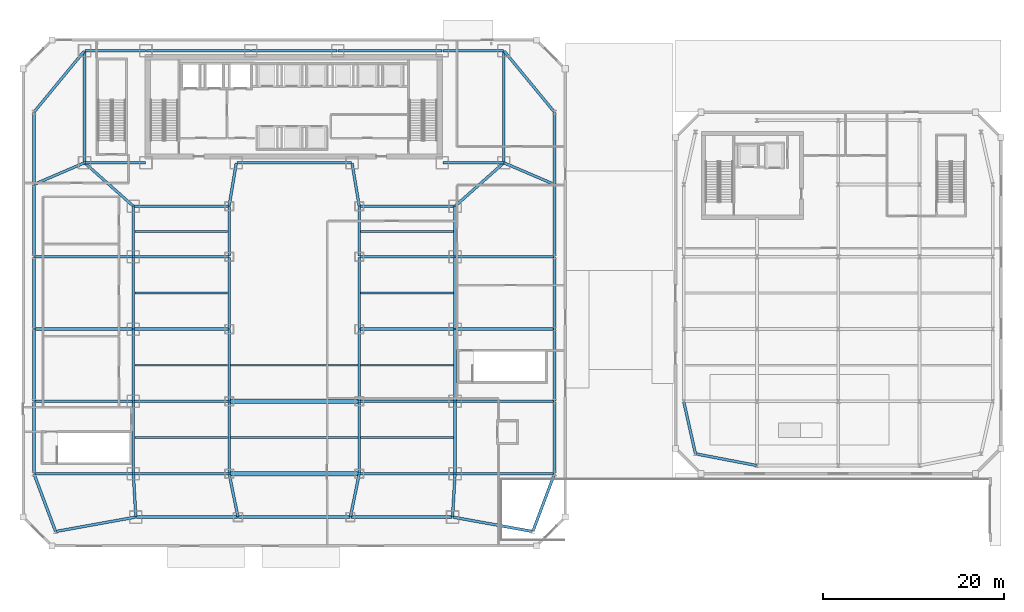
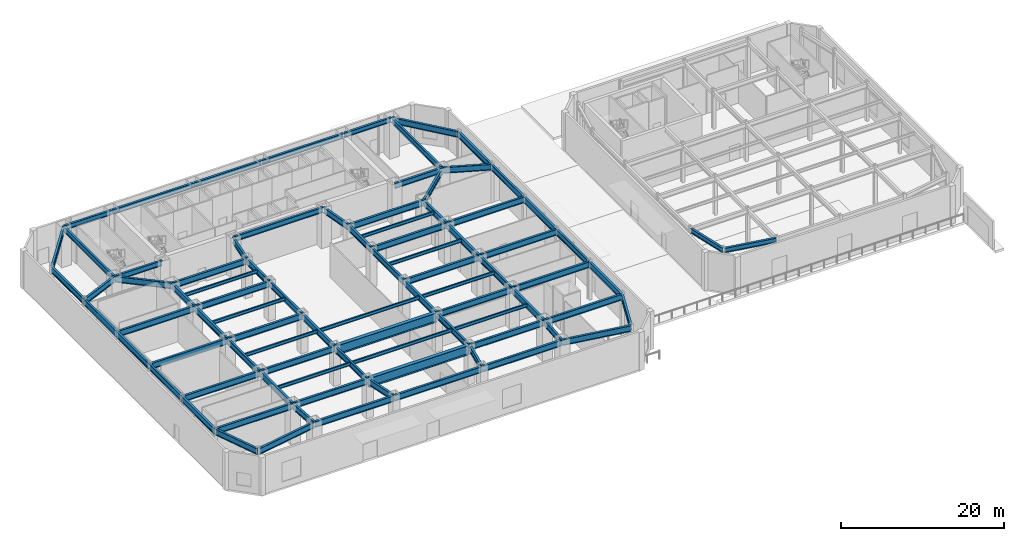
# One storey, part 8 of 23: 87 beams.
"""IFC4 building model written with IfcOpenShell, lengths in metres."""

from ifc_helpers import new_model, si_unit, direction, frame, origin, origin_2d, place, context, subcontext, project, spatial, i_section, extrude, material, material_profile, profile_set, type_object, element, save


model = new_model("IFC4")

# Units and contexts
model_context = context("Model", 3, precision=1e-05, world=origin(), true_north=direction((0.0, 1.0)))
body_context = subcontext(model_context, "Body", "Model", "MODEL_VIEW")
ifc_project = project(units=[si_unit("LENGTHUNIT", "METRE"), si_unit("AREAUNIT", "SQUARE_METRE"), si_unit("VOLUMEUNIT", "CUBIC_METRE"), si_unit("PLANEANGLEUNIT", "RADIAN"), si_unit("MASSUNIT", "GRAM", prefix="KILO")], contexts=[model_context])

# Site, building, storey
site_placement = place(None, origin())
site = spatial("IfcSite", under=ifc_project, at=site_placement, CompositionType="ELEMENT")
building_placement = place(site_placement, origin())
building = spatial("IfcBuilding", under=site, at=building_placement, Name="Saevonmaru Cultural Tower", CompositionType="ELEMENT")
storey_placement = place(building_placement, origin())
storey = spatial("IfcBuildingStorey", under=building, at=storey_placement, Name="L00", CompositionType="ELEMENT", Elevation=0.0)

# Beams
ifc_material_1 = material(Name="Steel SM355", Category="steel")
ifc_material_profile_1 = material_profile(ifc_material_1, i_section(OverallWidth=0.300048828125, OverallDepth=0.699951171875, WebThickness=0.012939453125, FlangeThickness=0.02392578125, FilletRadius=0.02587890625, at=origin_2d()), Name="H-700x300x13x24")
ifc_profile_set_1 = profile_set([ifc_material_profile_1], Name="Steel SM355")
beam_type_1 = type_object("IfcBeamType", Name="BM-G-H700", PredefinedType="BEAM", material=ifc_profile_set_1)
beam_1_placement = place(storey_placement, frame((74.458984375, 10.188720703125, 5.35009765625), z_axis=(0.982215224342, -0.187758496666, 0.0), x_axis=(0.187758496666, 0.982215224342, 0.0)))
element("IfcBeam", 1, at=beam_1_placement, inside=storey, type_object=beam_type_1, Name="L00 Library Girder EW-1-1", PredefinedType="BEAM", context=body_context, shape_type="SweptSolid", body=[
    extrude(i_section(OverallWidth=0.300048828125, OverallDepth=0.699951171875, WebThickness=0.012939453125, FlangeThickness=0.02392578125, FilletRadius=0.02587890625, at=origin_2d()), origin(), (0.0, 0.0, 1.0), 6.80322265625),
])
beam_2_placement = place(storey_placement, frame((74.386962890625, 10.258544921875, 5.35009765625), z_axis=(-0.218741049138, 0.975782943806, 0.0), x_axis=(-0.975782943806, -0.218741049138, 0.0)))
element("IfcBeam", 2, at=beam_2_placement, inside=storey, type_object=beam_type_1, Name="L00 Library Girder NS-1-1", PredefinedType="BEAM", context=body_context, shape_type="SweptSolid", body=[
    extrude(i_section(OverallWidth=0.300048828125, OverallDepth=0.699951171875, WebThickness=0.012939453125, FlangeThickness=0.02392578125, FilletRadius=0.02587890625, at=origin_2d()), origin(), (0.0, 0.0, 1.0), 5.823974609375),
])
ifc_material_2 = material(Name="Steel SM420", Category="steel")
ifc_material_profile_2 = material_profile(ifc_material_2, i_section(OverallWidth=0.300048828125, OverallDepth=0.800048828125, WebThickness=0.013916015625, FlangeThickness=0.02587890625, FilletRadius=0.028076171875, at=origin_2d()), Name="H-800x300x14x26")
ifc_profile_set_2 = profile_set([ifc_material_profile_2], Name="Steel SM420")
beam_type_2 = type_object("IfcBeamType", Name="BM-G-H800", PredefinedType="BEAM", material=ifc_profile_set_2)
beam_3_placement = place(storey_placement, frame((6.860107421875, 42.39990234375, 5.300048828125), z_axis=(1.0, 0.0, 0.0), x_axis=(0.0, 1.0, 0.0)))
element("IfcBeam", 3, at=beam_3_placement, inside=storey, type_object=beam_type_2, Name="L00 Core South Girder 1", PredefinedType="BEAM", context=body_context, shape_type="SweptSolid", body=[
    extrude(i_section(OverallWidth=0.300048828125, OverallDepth=0.800048828125, WebThickness=0.013916015625, FlangeThickness=0.02587890625, FilletRadius=0.028076171875, at=origin_2d()), origin(), (0.0, 0.0, 1.0), 6.679931640625),
])
beam_4_placement = place(storey_placement, frame((23.659912109375, 42.39990234375, 5.300048828125), z_axis=(1.0, 0.0, 0.0), x_axis=(0.0, 1.0, 0.0)))
element("IfcBeam", 4, at=beam_4_placement, inside=storey, type_object=beam_type_2, Name="L00 Core South Girder 3", PredefinedType="BEAM", context=body_context, shape_type="SweptSolid", body=[
    extrude(i_section(OverallWidth=0.300048828125, OverallDepth=0.800048828125, WebThickness=0.013916015625, FlangeThickness=0.02587890625, FilletRadius=0.028076171875, at=origin_2d()), origin(), (0.0, 0.0, 1.0), 12.68017578125),
])
beam_5_placement = place(storey_placement, frame((46.4599609375, 42.39990234375, 5.300048828125), z_axis=(1.0, 0.0, 0.0), x_axis=(0.0, 1.0, 0.0)))
element("IfcBeam", 5, at=beam_5_placement, inside=storey, type_object=beam_type_2, Name="L00 Core South Girder 5", PredefinedType="BEAM", context=body_context, shape_type="SweptSolid", body=[
    extrude(i_section(OverallWidth=0.300048828125, OverallDepth=0.800048828125, WebThickness=0.013916015625, FlangeThickness=0.02587890625, FilletRadius=0.028076171875, at=origin_2d()), origin(), (0.0, 0.0, 1.0), 6.679931640625),
])
for number, where, z_axis, x_axis, name in (
    (6, (6.800048828125, 54.739990234375, 5.300048828125), (0.0, -1.0, 0.0), (1.0, 0.0, 0.0), "L00 Spine Transverse Girder W"),
    (7, (53.199951171875, 54.739990234375, 5.300048828125), (0.0, -1.0, 0.0), (1.0, 0.0, 0.0), "L00 Spine Transverse Girder E"),
):
    element("IfcBeam", number, at=place(storey_placement, frame(where, z_axis=z_axis, x_axis=x_axis)), inside=storey, type_object=beam_type_2, Name=name, PredefinedType="BEAM", context=body_context, shape_type="SweptSolid", body=[
        extrude(i_section(OverallWidth=0.300048828125, OverallDepth=0.800048828125, WebThickness=0.013916015625, FlangeThickness=0.02587890625, FilletRadius=0.028076171875, at=origin_2d()), origin(), (0.0, 0.0, 1.0), 12.280029296875),
    ])
ifc_material_profile_3 = material_profile(ifc_material_2, i_section(OverallWidth=0.300048828125, OverallDepth=0.89990234375, WebThickness=0.01611328125, FlangeThickness=0.028076171875, FilletRadius=0.028076171875, at=origin_2d()), Name="H-900x300x16x28")
ifc_profile_set_3 = profile_set([ifc_material_profile_3], Name="Steel SM420")
beam_type_3 = type_object("IfcBeamType", Name="BM-G-H900", PredefinedType="BEAM", material=ifc_profile_set_3)
beam_6_placement = place(storey_placement, frame((12.4765625, 3.260009765625, 5.25), z_axis=(-0.058221363278, 0.998303697708, 0.0), x_axis=(-0.998303697708, -0.058221363278, 0.0)))
element("IfcBeam", 8, at=beam_6_placement, inside=storey, type_object=beam_type_3, Name="L00 Podium Girder NS1-1", PredefinedType="BEAM", context=body_context, shape_type="SweptSolid", body=[
    extrude(i_section(OverallWidth=0.300048828125, OverallDepth=0.89990234375, WebThickness=0.01611328125, FlangeThickness=0.028076171875, FilletRadius=0.028076171875, at=origin_2d()), origin(), (0.0, 0.0, 1.0), 4.688232421875),
])
for number, where, z_axis, x_axis, name in (
    (9, (12.199951171875, 8.06005859375, 5.25), (0.0, 1.0, 0.0), (-1.0, 0.0, 0.0), "L00 Podium Girder NS1-2"),
    (10, (12.199951171875, 16.06005859375, 5.25), (0.0, 1.0, 0.0), (-1.0, 0.0, 0.0), "L00 Podium Girder NS1-3"),
    (11, (12.199951171875, 24.06005859375, 5.25), (0.0, 1.0, 0.0), (-1.0, 0.0, 0.0), "L00 Podium Girder NS1-4"),
):
    element("IfcBeam", number, at=place(storey_placement, frame(where, z_axis=z_axis, x_axis=x_axis)), inside=storey, type_object=beam_type_3, Name=name, PredefinedType="BEAM", context=body_context, shape_type="SweptSolid", body=[
        extrude(i_section(OverallWidth=0.300048828125, OverallDepth=0.89990234375, WebThickness=0.01611328125, FlangeThickness=0.028076171875, FilletRadius=0.028076171875, at=origin_2d()), origin(), (0.0, 0.0, 1.0), 7.8798828125),
    ])
beam_7_placement = place(storey_placement, frame((12.199951171875, 32.06005859375, 5.25), z_axis=(0.0, 1.0, 0.0), x_axis=(-1.0, 0.0, 0.0)))
element("IfcBeam", 12, at=beam_7_placement, inside=storey, type_object=beam_type_3, Name="L00 Podium Girder NS1-5", PredefinedType="BEAM", context=body_context, shape_type="SweptSolid", body=[
    extrude(i_section(OverallWidth=0.300048828125, OverallDepth=0.89990234375, WebThickness=0.01611328125, FlangeThickness=0.028076171875, FilletRadius=0.028076171875, at=origin_2d()), origin(), (0.0, 0.0, 1.0), 5.47998046875),
])
beam_8_placement = place(storey_placement, frame((12.1552734375, 37.639892578125, 5.25), z_axis=(-0.74742827637, 0.664342510819, 0.0), x_axis=(-0.664342510819, -0.74742827637, 0.0)))
element("IfcBeam", 13, at=beam_8_placement, inside=storey, type_object=beam_type_3, Name="L00 Podium Girder NS1-6", PredefinedType="BEAM", context=body_context, shape_type="SweptSolid", body=[
    extrude(i_section(OverallWidth=0.300048828125, OverallDepth=0.89990234375, WebThickness=0.01611328125, FlangeThickness=0.028076171875, FilletRadius=0.028076171875, at=origin_2d()), origin(), (0.0, 0.0, 1.0), 7.10498046875),
])
beam_9_placement = place(storey_placement, frame((23.76806640625, 3.2587890625, 5.25), z_axis=(-0.200054094908, 0.979784853481, 0.0), x_axis=(-0.979784853481, -0.200054094908, 0.0)))
element("IfcBeam", 14, at=beam_9_placement, inside=storey, type_object=beam_type_3, Name="L00 Podium Girder NS2-1", PredefinedType="BEAM", context=body_context, shape_type="SweptSolid", body=[
    extrude(i_section(OverallWidth=0.300048828125, OverallDepth=0.89990234375, WebThickness=0.01611328125, FlangeThickness=0.028076171875, FilletRadius=0.028076171875, at=origin_2d()), origin(), (0.0, 0.0, 1.0), 4.779052734375),
])
for number, where, z_axis, x_axis, name in (
    (15, (22.800048828125, 8.06005859375, 5.25), (0.0, 1.0, 0.0), (-1.0, 0.0, 0.0), "L00 Podium Girder NS2-2"),
    (16, (22.800048828125, 16.06005859375, 5.25), (0.0, 1.0, 0.0), (-1.0, 0.0, 0.0), "L00 Podium Girder NS2-3"),
    (17, (22.800048828125, 24.06005859375, 5.25), (0.0, 1.0, 0.0), (-1.0, 0.0, 0.0), "L00 Podium Girder NS2-4"),
):
    element("IfcBeam", number, at=place(storey_placement, frame(where, z_axis=z_axis, x_axis=x_axis)), inside=storey, type_object=beam_type_3, Name=name, PredefinedType="BEAM", context=body_context, shape_type="SweptSolid", body=[
        extrude(i_section(OverallWidth=0.300048828125, OverallDepth=0.89990234375, WebThickness=0.01611328125, FlangeThickness=0.028076171875, FilletRadius=0.028076171875, at=origin_2d()), origin(), (0.0, 0.0, 1.0), 7.8798828125),
    ])
beam_10_placement = place(storey_placement, frame((22.800048828125, 32.06005859375, 5.25), z_axis=(0.0, 1.0, 0.0), x_axis=(-1.0, 0.0, 0.0)))
element("IfcBeam", 18, at=beam_10_placement, inside=storey, type_object=beam_type_3, Name="L00 Podium Girder NS2-5", PredefinedType="BEAM", context=body_context, shape_type="SweptSolid", body=[
    extrude(i_section(OverallWidth=0.300048828125, OverallDepth=0.89990234375, WebThickness=0.01611328125, FlangeThickness=0.028076171875, FilletRadius=0.028076171875, at=origin_2d()), origin(), (0.0, 0.0, 1.0), 5.47998046875),
])
beam_11_placement = place(storey_placement, frame((22.809814453125, 37.6591796875, 5.25), z_axis=(0.164398987305, 0.986393923832, 0.0), x_axis=(-0.986393923832, 0.164398987305, 0.0)))
element("IfcBeam", 19, at=beam_11_placement, inside=storey, type_object=beam_type_3, Name="L00 Podium Girder NS2-6", PredefinedType="BEAM", context=body_context, shape_type="SweptSolid", body=[
    extrude(i_section(OverallWidth=0.300048828125, OverallDepth=0.89990234375, WebThickness=0.01611328125, FlangeThickness=0.028076171875, FilletRadius=0.028076171875, at=origin_2d()), origin(), (0.0, 0.0, 1.0), 4.746337890625),
])
beam_12_placement = place(storey_placement, frame((36.23193359375, 3.2587890625, 5.25), z_axis=(0.200054094908, 0.979784853481, 0.0), x_axis=(-0.979784853481, 0.200054094908, 0.0)))
element("IfcBeam", 20, at=beam_12_placement, inside=storey, type_object=beam_type_3, Name="L00 Podium Girder NS3-1", PredefinedType="BEAM", context=body_context, shape_type="SweptSolid", body=[
    extrude(i_section(OverallWidth=0.300048828125, OverallDepth=0.89990234375, WebThickness=0.01611328125, FlangeThickness=0.028076171875, FilletRadius=0.028076171875, at=origin_2d()), origin(), (0.0, 0.0, 1.0), 4.779052734375),
])
for number, where, z_axis, x_axis, name in (
    (21, (37.199951171875, 8.06005859375, 5.25), (0.0, 1.0, 0.0), (-1.0, 0.0, 0.0), "L00 Podium Girder NS3-2"),
    (22, (37.199951171875, 16.06005859375, 5.25), (0.0, 1.0, 0.0), (-1.0, 0.0, 0.0), "L00 Podium Girder NS3-3"),
    (23, (37.199951171875, 24.06005859375, 5.25), (0.0, 1.0, 0.0), (-1.0, 0.0, 0.0), "L00 Podium Girder NS3-4"),
):
    element("IfcBeam", number, at=place(storey_placement, frame(where, z_axis=z_axis, x_axis=x_axis)), inside=storey, type_object=beam_type_3, Name=name, PredefinedType="BEAM", context=body_context, shape_type="SweptSolid", body=[
        extrude(i_section(OverallWidth=0.300048828125, OverallDepth=0.89990234375, WebThickness=0.01611328125, FlangeThickness=0.028076171875, FilletRadius=0.028076171875, at=origin_2d()), origin(), (0.0, 0.0, 1.0), 7.8798828125),
    ])
beam_13_placement = place(storey_placement, frame((37.199951171875, 32.06005859375, 5.25), z_axis=(0.0, 1.0, 0.0), x_axis=(-1.0, 0.0, 0.0)))
element("IfcBeam", 24, at=beam_13_placement, inside=storey, type_object=beam_type_3, Name="L00 Podium Girder NS3-5", PredefinedType="BEAM", context=body_context, shape_type="SweptSolid", body=[
    extrude(i_section(OverallWidth=0.300048828125, OverallDepth=0.89990234375, WebThickness=0.01611328125, FlangeThickness=0.028076171875, FilletRadius=0.028076171875, at=origin_2d()), origin(), (0.0, 0.0, 1.0), 5.47998046875),
])
beam_14_placement = place(storey_placement, frame((37.190185546875, 37.6591796875, 5.25), z_axis=(-0.164398987305, 0.986393923832, 0.0), x_axis=(-0.986393923832, -0.164398987305, 0.0)))
element("IfcBeam", 25, at=beam_14_placement, inside=storey, type_object=beam_type_3, Name="L00 Podium Girder NS3-6", PredefinedType="BEAM", context=body_context, shape_type="SweptSolid", body=[
    extrude(i_section(OverallWidth=0.300048828125, OverallDepth=0.89990234375, WebThickness=0.01611328125, FlangeThickness=0.028076171875, FilletRadius=0.028076171875, at=origin_2d()), origin(), (0.0, 0.0, 1.0), 4.746337890625),
])
beam_15_placement = place(storey_placement, frame((47.5234375, 3.260009765625, 5.25), z_axis=(0.058221363278, 0.998303697708, 0.0), x_axis=(-0.998303697708, 0.058221363278, 0.0)))
element("IfcBeam", 26, at=beam_15_placement, inside=storey, type_object=beam_type_3, Name="L00 Podium Girder NS4-1", PredefinedType="BEAM", context=body_context, shape_type="SweptSolid", body=[
    extrude(i_section(OverallWidth=0.300048828125, OverallDepth=0.89990234375, WebThickness=0.01611328125, FlangeThickness=0.028076171875, FilletRadius=0.028076171875, at=origin_2d()), origin(), (0.0, 0.0, 1.0), 4.688232421875),
])
for number, where, z_axis, x_axis, name in (
    (27, (47.800048828125, 8.06005859375, 5.25), (0.0, 1.0, 0.0), (-1.0, 0.0, 0.0), "L00 Podium Girder NS4-2"),
    (28, (47.800048828125, 16.06005859375, 5.25), (0.0, 1.0, 0.0), (-1.0, 0.0, 0.0), "L00 Podium Girder NS4-3"),
    (29, (47.800048828125, 24.06005859375, 5.25), (0.0, 1.0, 0.0), (-1.0, 0.0, 0.0), "L00 Podium Girder NS4-4"),
):
    element("IfcBeam", number, at=place(storey_placement, frame(where, z_axis=z_axis, x_axis=x_axis)), inside=storey, type_object=beam_type_3, Name=name, PredefinedType="BEAM", context=body_context, shape_type="SweptSolid", body=[
        extrude(i_section(OverallWidth=0.300048828125, OverallDepth=0.89990234375, WebThickness=0.01611328125, FlangeThickness=0.028076171875, FilletRadius=0.028076171875, at=origin_2d()), origin(), (0.0, 0.0, 1.0), 7.8798828125),
    ])
beam_16_placement = place(storey_placement, frame((47.800048828125, 32.06005859375, 5.25), z_axis=(0.0, 1.0, 0.0), x_axis=(-1.0, 0.0, 0.0)))
element("IfcBeam", 30, at=beam_16_placement, inside=storey, type_object=beam_type_3, Name="L00 Podium Girder NS4-5", PredefinedType="BEAM", context=body_context, shape_type="SweptSolid", body=[
    extrude(i_section(OverallWidth=0.300048828125, OverallDepth=0.89990234375, WebThickness=0.01611328125, FlangeThickness=0.028076171875, FilletRadius=0.028076171875, at=origin_2d()), origin(), (0.0, 0.0, 1.0), 5.47998046875),
])
beam_17_placement = place(storey_placement, frame((47.8447265625, 37.639892578125, 5.25), z_axis=(0.74742827637, 0.664342510819, 0.0), x_axis=(-0.664342510819, 0.74742827637, 0.0)))
element("IfcBeam", 31, at=beam_17_placement, inside=storey, type_object=beam_type_3, Name="L00 Podium Girder NS4-6", PredefinedType="BEAM", context=body_context, shape_type="SweptSolid", body=[
    extrude(i_section(OverallWidth=0.300048828125, OverallDepth=0.89990234375, WebThickness=0.01611328125, FlangeThickness=0.028076171875, FilletRadius=0.028076171875, at=origin_2d()), origin(), (0.0, 0.0, 1.0), 7.10498046875),
])
beam_18_placement = place(storey_placement, frame((12.5400390625, 3.199951171875, 5.25), z_axis=(1.0, 0.0, 0.0), x_axis=(0.0, 1.0, 0.0)))
element("IfcBeam", 32, at=beam_18_placement, inside=storey, type_object=beam_type_3, Name="BM-POD-EW-W-0-L00", PredefinedType="BEAM", context=body_context, shape_type="SweptSolid", body=[
    extrude(i_section(OverallWidth=0.300048828125, OverallDepth=0.89990234375, WebThickness=0.01611328125, FlangeThickness=0.028076171875, FilletRadius=0.028076171875, at=origin_2d()), origin(), (0.0, 0.0, 1.0), 11.179931640625),
])
beam_19_placement = place(storey_placement, frame((23.840087890625, 3.199951171875, 5.25), z_axis=(1.0, 0.0, 0.0), x_axis=(0.0, 1.0, 0.0)))
element("IfcBeam", 33, at=beam_19_placement, inside=storey, type_object=beam_type_3, Name="BM-POD-EW-C-0-L00", PredefinedType="BEAM", context=body_context, shape_type="SweptSolid", body=[
    extrude(i_section(OverallWidth=0.300048828125, OverallDepth=0.89990234375, WebThickness=0.01611328125, FlangeThickness=0.028076171875, FilletRadius=0.028076171875, at=origin_2d()), origin(), (0.0, 0.0, 1.0), 12.31982421875),
])
beam_20_placement = place(storey_placement, frame((36.280029296875, 3.199951171875, 5.25), z_axis=(1.0, 0.0, 0.0), x_axis=(0.0, 1.0, 0.0)))
element("IfcBeam", 34, at=beam_20_placement, inside=storey, type_object=beam_type_3, Name="BM-POD-EW-E-0-L00", PredefinedType="BEAM", context=body_context, shape_type="SweptSolid", body=[
    extrude(i_section(OverallWidth=0.300048828125, OverallDepth=0.89990234375, WebThickness=0.01611328125, FlangeThickness=0.028076171875, FilletRadius=0.028076171875, at=origin_2d()), origin(), (0.0, 0.0, 1.0), 11.179931640625),
])
for number, where, z_axis, x_axis, name in (
    (35, (12.260009765625, 8.0, 5.25), (1.0, 0.0, 0.0), (0.0, 1.0, 0.0), "L00 Gallery Girder W-1"),
    (36, (37.260009765625, 8.0, 5.25), (1.0, 0.0, 0.0), (0.0, 1.0, 0.0), "L00 Gallery Girder E-1"),
    (37, (12.260009765625, 16.0, 5.25), (1.0, 0.0, 0.0), (0.0, 1.0, 0.0), "L00 Gallery Girder W-2"),
    (38, (37.260009765625, 16.0, 5.25), (1.0, 0.0, 0.0), (0.0, 1.0, 0.0), "L00 Gallery Girder E-2"),
    (39, (12.260009765625, 24.0, 5.25), (1.0, 0.0, 0.0), (0.0, 1.0, 0.0), "L00 Gallery Girder W-3"),
    (40, (37.260009765625, 24.0, 5.25), (1.0, 0.0, 0.0), (0.0, 1.0, 0.0), "L00 Gallery Girder E-3"),
    (41, (12.260009765625, 32.0, 5.25), (1.0, 0.0, 0.0), (0.0, 1.0, 0.0), "L00 Gallery Girder W-4"),
    (42, (37.260009765625, 32.0, 5.25), (1.0, 0.0, 0.0), (0.0, 1.0, 0.0), "L00 Gallery Girder E-4"),
    (43, (12.260009765625, 37.60009765625, 5.25), (1.0, 0.0, 0.0), (0.0, 1.0, 0.0), "L00 Gallery Girder W-5"),
    (44, (37.260009765625, 37.60009765625, 5.25), (1.0, 0.0, 0.0), (0.0, 1.0, 0.0), "L00 Gallery Girder E-5"),
):
    element("IfcBeam", number, at=place(storey_placement, frame(where, z_axis=z_axis, x_axis=x_axis)), inside=storey, type_object=beam_type_3, Name=name, PredefinedType="BEAM", context=body_context, shape_type="SweptSolid", body=[
        extrude(i_section(OverallWidth=0.300048828125, OverallDepth=0.89990234375, WebThickness=0.01611328125, FlangeThickness=0.028076171875, FilletRadius=0.028076171875, at=origin_2d()), origin(), (0.0, 0.0, 1.0), 10.47998046875),
    ])
for number, where, z_axis, x_axis, name in (
    (45, (1.260009765625, 8.0, 5.25), (1.0, 0.0, 0.0), (0.0, 1.0, 0.0), "BM-POD-OW-1-L00"),
    (46, (47.860107421875, 8.0, 5.25), (1.0, 0.0, 0.0), (0.0, 1.0, 0.0), "BM-POD-OE-1-L00"),
    (47, (1.260009765625, 16.0, 5.25), (1.0, 0.0, 0.0), (0.0, 1.0, 0.0), "BM-POD-OW-2-L00"),
    (48, (47.860107421875, 16.0, 5.25), (1.0, 0.0, 0.0), (0.0, 1.0, 0.0), "BM-POD-OE-2-L00"),
    (49, (1.260009765625, 24.0, 5.25), (1.0, 0.0, 0.0), (0.0, 1.0, 0.0), "BM-POD-OW-3-L00"),
    (50, (47.860107421875, 24.0, 5.25), (1.0, 0.0, 0.0), (0.0, 1.0, 0.0), "BM-POD-OE-3-L00"),
    (51, (1.260009765625, 32.0, 5.25), (1.0, 0.0, 0.0), (0.0, 1.0, 0.0), "BM-POD-OW-4-L00"),
    (52, (47.860107421875, 32.0, 5.25), (1.0, 0.0, 0.0), (0.0, 1.0, 0.0), "BM-POD-OE-4-L00"),
):
    element("IfcBeam", number, at=place(storey_placement, frame(where, z_axis=z_axis, x_axis=x_axis)), inside=storey, type_object=beam_type_3, Name=name, PredefinedType="BEAM", context=body_context, shape_type="SweptSolid", body=[
        extrude(i_section(OverallWidth=0.300048828125, OverallDepth=0.89990234375, WebThickness=0.01611328125, FlangeThickness=0.028076171875, FilletRadius=0.028076171875, at=origin_2d()), origin(), (0.0, 0.0, 1.0), 10.8798828125),
    ])
for number, where, z_axis, x_axis, name in (
    (53, (1.199951171875, 8.06005859375, 5.25), (0.0, 1.0, 0.0), (-1.0, 0.0, 0.0), "BM-POD-PW-1-L00"),
    (54, (58.800048828125, 8.06005859375, 5.25), (0.0, 1.0, 0.0), (-1.0, 0.0, 0.0), "BM-POD-PE-1-L00"),
    (55, (1.199951171875, 16.06005859375, 5.25), (0.0, 1.0, 0.0), (-1.0, 0.0, 0.0), "BM-POD-PW-2-L00"),
    (56, (58.800048828125, 16.06005859375, 5.25), (0.0, 1.0, 0.0), (-1.0, 0.0, 0.0), "BM-POD-PE-2-L00"),
    (57, (1.199951171875, 24.06005859375, 5.25), (0.0, 1.0, 0.0), (-1.0, 0.0, 0.0), "BM-POD-PW-3-L00"),
    (58, (58.800048828125, 24.06005859375, 5.25), (0.0, 1.0, 0.0), (-1.0, 0.0, 0.0), "BM-POD-PE-3-L00"),
    (59, (1.199951171875, 32.06005859375, 5.25), (0.0, 1.0, 0.0), (-1.0, 0.0, 0.0), "BM-POD-PW-4-L00"),
    (60, (58.800048828125, 32.06005859375, 5.25), (0.0, 1.0, 0.0), (-1.0, 0.0, 0.0), "BM-POD-PE-4-L00"),
    (61, (1.199951171875, 40.06005859375, 5.25), (0.0, 1.0, 0.0), (-1.0, 0.0, 0.0), "BM-POD-PW-5-L00"),
    (62, (58.800048828125, 40.06005859375, 5.25), (0.0, 1.0, 0.0), (-1.0, 0.0, 0.0), "BM-POD-PE-5-L00"),
):
    element("IfcBeam", number, at=place(storey_placement, frame(where, z_axis=z_axis, x_axis=x_axis)), inside=storey, type_object=beam_type_3, Name=name, PredefinedType="BEAM", context=body_context, shape_type="SweptSolid", body=[
        extrude(i_section(OverallWidth=0.300048828125, OverallDepth=0.89990234375, WebThickness=0.01611328125, FlangeThickness=0.028076171875, FilletRadius=0.028076171875, at=origin_2d()), origin(), (0.0, 0.0, 1.0), 7.8798828125),
    ])
for number, where, z_axis, x_axis, name in (
    (63, (3.658935546875, 1.610595703125, 5.25), (0.984149934695, 0.177338394151, 0.0), (-0.177338394151, 0.984149934695, 0.0), "BM-POD-PS-1-L00"),
    (64, (47.5791015625, 3.189453125, 5.25), (0.984149934695, -0.177338394151, 0.0), (0.177338394151, 0.984149934695, 0.0), "BM-POD-PS-2-L00"),
):
    element("IfcBeam", number, at=place(storey_placement, frame(where, z_axis=z_axis, x_axis=x_axis)), inside=storey, type_object=beam_type_3, Name=name, PredefinedType="BEAM", context=body_context, shape_type="SweptSolid", body=[
        extrude(i_section(OverallWidth=0.300048828125, OverallDepth=0.89990234375, WebThickness=0.01611328125, FlangeThickness=0.028076171875, FilletRadius=0.028076171875, at=origin_2d()), origin(), (0.0, 0.0, 1.0), 8.903076171875),
    ])
for number, where, z_axis, x_axis, name in (
    (65, (3.578857421875, 1.65625, 5.25), (-0.351099535502, 0.936338142003, 0.0), (-0.936338142003, -0.351099535502, 0.0), "BM-POD-PS-3-L00"),
    (66, (56.421142578125, 1.65625, 5.25), (0.351099535502, 0.936338142003, 0.0), (-0.936338142003, 0.351099535502, 0.0), "BM-POD-PS-4-L00"),
):
    element("IfcBeam", number, at=place(storey_placement, frame(where, z_axis=z_axis, x_axis=x_axis)), inside=storey, type_object=beam_type_3, Name=name, PredefinedType="BEAM", context=body_context, shape_type="SweptSolid", body=[
        extrude(i_section(OverallWidth=0.300048828125, OverallDepth=0.89990234375, WebThickness=0.01611328125, FlangeThickness=0.028076171875, FilletRadius=0.028076171875, at=origin_2d()), origin(), (0.0, 0.0, 1.0), 6.715087890625),
    ])
beam_21_placement = place(storey_placement, frame((1.255126953125, 40.023681640625, 5.25), z_axis=(0.919142915717, 0.393924231912, 0.0), x_axis=(-0.393924231912, 0.919142915717, 0.0)))
element("IfcBeam", 67, at=beam_21_placement, inside=storey, type_object=beam_type_3, Name="BM-POD-TW1-L00", PredefinedType="BEAM", context=body_context, shape_type="SweptSolid", body=[
    extrude(i_section(OverallWidth=0.300048828125, OverallDepth=0.89990234375, WebThickness=0.01611328125, FlangeThickness=0.028076171875, FilletRadius=0.028076171875, at=origin_2d()), origin(), (0.0, 0.0, 1.0), 5.97265625),
])
beam_22_placement = place(storey_placement, frame((1.238037109375, 48.04638671875, 5.25), z_axis=(0.635726949651, 0.771914014309, 0.0), x_axis=(-0.771914014309, 0.635726949651, 0.0)))
element("IfcBeam", 68, at=beam_22_placement, inside=storey, type_object=beam_type_3, Name="BM-POD-TW2-L00", PredefinedType="BEAM", context=body_context, shape_type="SweptSolid", body=[
    extrude(i_section(OverallWidth=0.300048828125, OverallDepth=0.89990234375, WebThickness=0.01611328125, FlangeThickness=0.028076171875, FilletRadius=0.028076171875, at=origin_2d()), origin(), (0.0, 0.0, 1.0), 8.689208984375),
])
beam_23_placement = place(storey_placement, frame((53.255126953125, 42.37646484375, 5.25), z_axis=(0.919142915717, -0.393924231912, 0.0), x_axis=(0.393924231912, 0.919142915717, 0.0)))
element("IfcBeam", 69, at=beam_23_placement, inside=storey, type_object=beam_type_3, Name="BM-POD-TE1-L00", PredefinedType="BEAM", context=body_context, shape_type="SweptSolid", body=[
    extrude(i_section(OverallWidth=0.300048828125, OverallDepth=0.89990234375, WebThickness=0.01611328125, FlangeThickness=0.028076171875, FilletRadius=0.028076171875, at=origin_2d()), origin(), (0.0, 0.0, 1.0), 5.97265625),
])
beam_24_placement = place(storey_placement, frame((53.238037109375, 54.753662109375, 5.25), z_axis=(0.635726949651, -0.771914014309, 0.0), x_axis=(0.771914014309, 0.635726949651, 0.0)))
element("IfcBeam", 70, at=beam_24_placement, inside=storey, type_object=beam_type_3, Name="BM-POD-TE2-L00", PredefinedType="BEAM", context=body_context, shape_type="SweptSolid", body=[
    extrude(i_section(OverallWidth=0.300048828125, OverallDepth=0.89990234375, WebThickness=0.01611328125, FlangeThickness=0.028076171875, FilletRadius=0.028076171875, at=origin_2d()), origin(), (0.0, 0.0, 1.0), 8.689208984375),
])
ifc_material_profile_4 = material_profile(ifc_material_1, i_section(OverallWidth=0.199951171875, OverallDepth=0.5, WebThickness=0.010009765625, FlangeThickness=0.01611328125, FilletRadius=0.02001953125, at=origin_2d()), Name="H-500x200x10x16")
ifc_profile_set_4 = profile_set([ifc_material_profile_4], Name="Steel SM355")
beam_type_4 = type_object("IfcBeamType", Name="BM-J-H500", PredefinedType="JOIST", material=ifc_profile_set_4)
for number, where, z_axis, x_axis, name in (
    (71, (12.35791015625, 12.0, 5.449951171875), (1.0, 0.0, 0.0), (0.0, 1.0, 0.0), "L00 Secondary Floor Joist JW-1"),
    (72, (37.35791015625, 12.0, 5.449951171875), (1.0, 0.0, 0.0), (0.0, 1.0, 0.0), "L00 Secondary Floor Joist JE-1"),
):
    element("IfcBeam", number, at=place(storey_placement, frame(where, z_axis=z_axis, x_axis=x_axis)), inside=storey, type_object=beam_type_4, Name=name, PredefinedType="JOIST", context=body_context, shape_type="SweptSolid", body=[
        extrude(i_section(OverallWidth=0.199951171875, OverallDepth=0.5, WebThickness=0.010009765625, FlangeThickness=0.01611328125, FilletRadius=0.02001953125, at=origin_2d()), origin(), (0.0, 0.0, 1.0), 10.2841796875),
    ])
beam_25_placement = place(storey_placement, frame((22.9580078125, 12.0, 5.449951171875), z_axis=(1.0, 0.0, 0.0), x_axis=(0.0, 1.0, 0.0)))
element("IfcBeam", 73, at=beam_25_placement, inside=storey, type_object=beam_type_4, Name="L00 Secondary Floor Joist JC-1", PredefinedType="JOIST", context=body_context, shape_type="SweptSolid", body=[
    extrude(i_section(OverallWidth=0.199951171875, OverallDepth=0.5, WebThickness=0.010009765625, FlangeThickness=0.01611328125, FilletRadius=0.02001953125, at=origin_2d()), origin(), (0.0, 0.0, 1.0), 14.083984375),
])
for number, where, z_axis, x_axis, name in (
    (74, (12.35791015625, 20.0, 5.449951171875), (1.0, 0.0, 0.0), (0.0, 1.0, 0.0), "L00 Secondary Floor Joist JW-2"),
    (75, (37.35791015625, 20.0, 5.449951171875), (1.0, 0.0, 0.0), (0.0, 1.0, 0.0), "L00 Secondary Floor Joist JE-2"),
):
    element("IfcBeam", number, at=place(storey_placement, frame(where, z_axis=z_axis, x_axis=x_axis)), inside=storey, type_object=beam_type_4, Name=name, PredefinedType="JOIST", context=body_context, shape_type="SweptSolid", body=[
        extrude(i_section(OverallWidth=0.199951171875, OverallDepth=0.5, WebThickness=0.010009765625, FlangeThickness=0.01611328125, FilletRadius=0.02001953125, at=origin_2d()), origin(), (0.0, 0.0, 1.0), 10.2841796875),
    ])
beam_26_placement = place(storey_placement, frame((22.9580078125, 20.0, 5.449951171875), z_axis=(1.0, 0.0, 0.0), x_axis=(0.0, 1.0, 0.0)))
element("IfcBeam", 76, at=beam_26_placement, inside=storey, type_object=beam_type_4, Name="L00 Secondary Floor Joist JC-2", PredefinedType="JOIST", context=body_context, shape_type="SweptSolid", body=[
    extrude(i_section(OverallWidth=0.199951171875, OverallDepth=0.5, WebThickness=0.010009765625, FlangeThickness=0.01611328125, FilletRadius=0.02001953125, at=origin_2d()), origin(), (0.0, 0.0, 1.0), 14.083984375),
])
for number, where, z_axis, x_axis, name in (
    (77, (12.35791015625, 28.0, 5.449951171875), (1.0, 0.0, 0.0), (0.0, 1.0, 0.0), "L00 Secondary Floor Joist JW-3"),
    (78, (37.35791015625, 28.0, 5.449951171875), (1.0, 0.0, 0.0), (0.0, 1.0, 0.0), "L00 Secondary Floor Joist JE-3"),
    (79, (12.35791015625, 34.800048828125, 5.449951171875), (1.0, 0.0, 0.0), (0.0, 1.0, 0.0), "L00 Secondary Floor Joist JW-4"),
    (80, (37.35791015625, 34.800048828125, 5.449951171875), (1.0, 0.0, 0.0), (0.0, 1.0, 0.0), "L00 Secondary Floor Joist JE-4"),
):
    element("IfcBeam", number, at=place(storey_placement, frame(where, z_axis=z_axis, x_axis=x_axis)), inside=storey, type_object=beam_type_4, Name=name, PredefinedType="JOIST", context=body_context, shape_type="SweptSolid", body=[
        extrude(i_section(OverallWidth=0.199951171875, OverallDepth=0.5, WebThickness=0.010009765625, FlangeThickness=0.01611328125, FilletRadius=0.02001953125, at=origin_2d()), origin(), (0.0, 0.0, 1.0), 10.2841796875),
    ])
ifc_material_profile_5 = material_profile(ifc_material_1, i_section(OverallWidth=0.300048828125, OverallDepth=0.699951171875, WebThickness=0.012939453125, FlangeThickness=0.02392578125, FilletRadius=0.02587890625, at=origin_2d()), Name="H-700x300x13x24")
ifc_profile_set_5 = profile_set([ifc_material_profile_5], Name="Steel SM355")
beam_type_5 = type_object("IfcBeamType", Name="BM-SP-H700", PredefinedType="SPANDREL", material=ifc_profile_set_5)
beam_27_placement = place(storey_placement, frame((6.860107421875, 54.800048828125, 5.35009765625), z_axis=(1.0, 0.0, 0.0), x_axis=(0.0, 1.0, 0.0)))
element("IfcBeam", 81, at=beam_27_placement, inside=storey, type_object=beam_type_5, Name="L00 North Spine Girder 1", PredefinedType="SPANDREL", context=body_context, shape_type="SweptSolid", body=[
    extrude(i_section(OverallWidth=0.300048828125, OverallDepth=0.699951171875, WebThickness=0.012939453125, FlangeThickness=0.02392578125, FilletRadius=0.02587890625, at=origin_2d()), origin(), (0.0, 0.0, 1.0), 6.679931640625),
])
beam_28_placement = place(storey_placement, frame((13.659912109375, 54.800048828125, 5.35009765625), z_axis=(1.0, 0.0, 0.0), x_axis=(0.0, 1.0, 0.0)))
element("IfcBeam", 82, at=beam_28_placement, inside=storey, type_object=beam_type_5, Name="L00 North Spine Girder 2", PredefinedType="SPANDREL", context=body_context, shape_type="SweptSolid", body=[
    extrude(i_section(OverallWidth=0.300048828125, OverallDepth=0.699951171875, WebThickness=0.012939453125, FlangeThickness=0.02392578125, FilletRadius=0.02587890625, at=origin_2d()), origin(), (0.0, 0.0, 1.0), 11.47998046875),
])
beam_29_placement = place(storey_placement, frame((25.260009765625, 54.800048828125, 5.35009765625), z_axis=(1.0, 0.0, 0.0), x_axis=(0.0, 1.0, 0.0)))
element("IfcBeam", 83, at=beam_29_placement, inside=storey, type_object=beam_type_5, Name="L00 North Spine Girder 3", PredefinedType="SPANDREL", context=body_context, shape_type="SweptSolid", body=[
    extrude(i_section(OverallWidth=0.300048828125, OverallDepth=0.699951171875, WebThickness=0.012939453125, FlangeThickness=0.02392578125, FilletRadius=0.02587890625, at=origin_2d()), origin(), (0.0, 0.0, 1.0), 9.47998046875),
])
beam_30_placement = place(storey_placement, frame((34.860107421875, 54.800048828125, 5.35009765625), z_axis=(1.0, 0.0, 0.0), x_axis=(0.0, 1.0, 0.0)))
element("IfcBeam", 84, at=beam_30_placement, inside=storey, type_object=beam_type_5, Name="L00 North Spine Girder 4", PredefinedType="SPANDREL", context=body_context, shape_type="SweptSolid", body=[
    extrude(i_section(OverallWidth=0.300048828125, OverallDepth=0.699951171875, WebThickness=0.012939453125, FlangeThickness=0.02392578125, FilletRadius=0.02587890625, at=origin_2d()), origin(), (0.0, 0.0, 1.0), 11.47998046875),
])
beam_31_placement = place(storey_placement, frame((46.4599609375, 54.800048828125, 5.35009765625), z_axis=(1.0, 0.0, 0.0), x_axis=(0.0, 1.0, 0.0)))
element("IfcBeam", 85, at=beam_31_placement, inside=storey, type_object=beam_type_5, Name="L00 North Spine Girder 5", PredefinedType="SPANDREL", context=body_context, shape_type="SweptSolid", body=[
    extrude(i_section(OverallWidth=0.300048828125, OverallDepth=0.699951171875, WebThickness=0.012939453125, FlangeThickness=0.02392578125, FilletRadius=0.02587890625, at=origin_2d()), origin(), (0.0, 0.0, 1.0), 6.679931640625),
])
ifc_material_3 = material(Name="Steel HSA600 (600 MPa)", Category="steel")
ifc_material_profile_6 = material_profile(ifc_material_3, i_section(OverallWidth=0.5, OverallDepth=1.39990234375, WebThickness=0.02392578125, FlangeThickness=0.044921875, at=origin_2d()), Name="PG-1400x500x24x45")
ifc_profile_set_6 = profile_set([ifc_material_profile_6], Name="Steel HSA600 (600 MPa)")
beam_type_6 = type_object("IfcBeamType", Name="BM-TG-PG1400", PredefinedType="BEAM", material=ifc_profile_set_6)
for number, where, z_axis, x_axis, name in (
    (86, (22.860107421875, 8.0, 5.0), (1.0, 0.0, 0.0), (0.0, 1.0, 0.0), "L00 Long-Span Hall Girder C-1"),
    (87, (22.860107421875, 16.0, 5.0), (1.0, 0.0, 0.0), (0.0, 1.0, 0.0), "L00 Long-Span Hall Girder C-2"),
):
    element("IfcBeam", number, at=place(storey_placement, frame(where, z_axis=z_axis, x_axis=x_axis)), inside=storey, type_object=beam_type_6, Name=name, PredefinedType="BEAM", context=body_context, shape_type="SweptSolid", body=[
        extrude(i_section(OverallWidth=0.5, OverallDepth=1.39990234375, WebThickness=0.02392578125, FlangeThickness=0.044921875, at=origin_2d()), origin(), (0.0, 0.0, 1.0), 14.27978515625),
    ])

save(model, "model.ifc")
